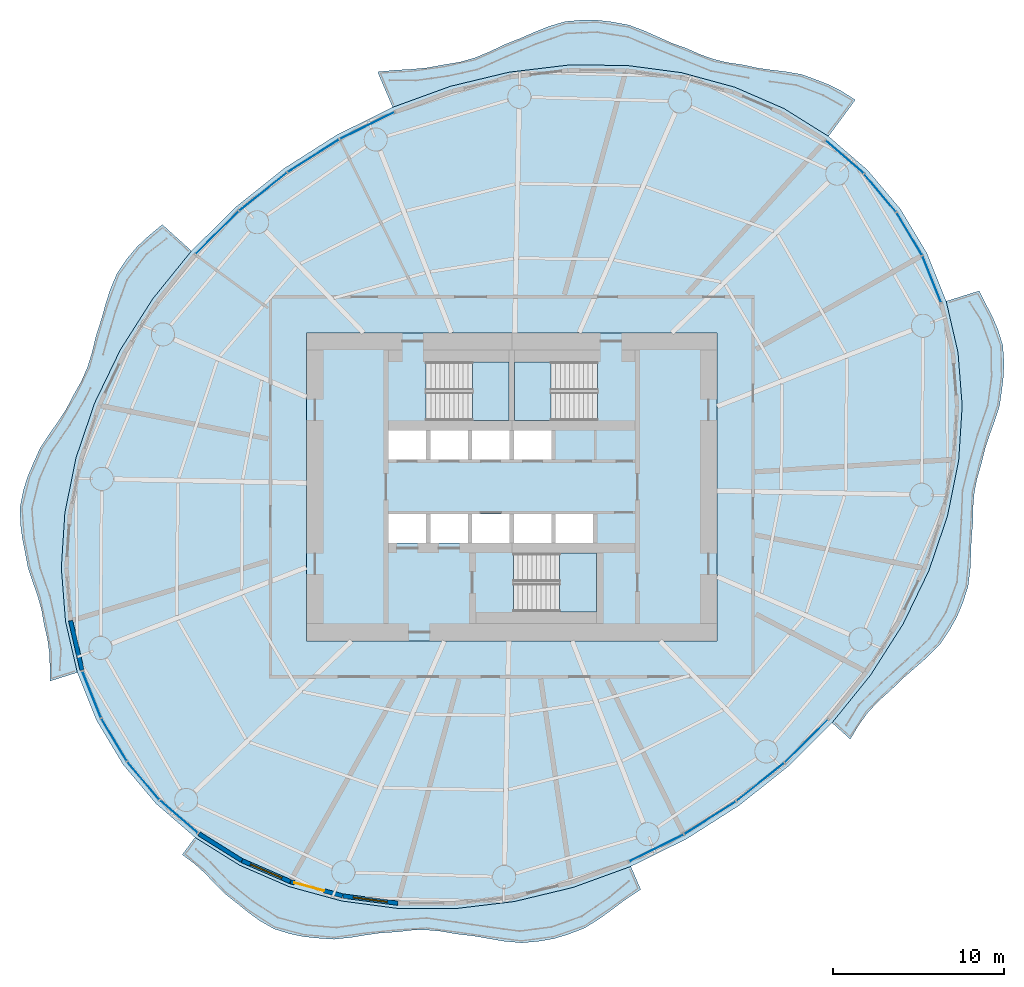
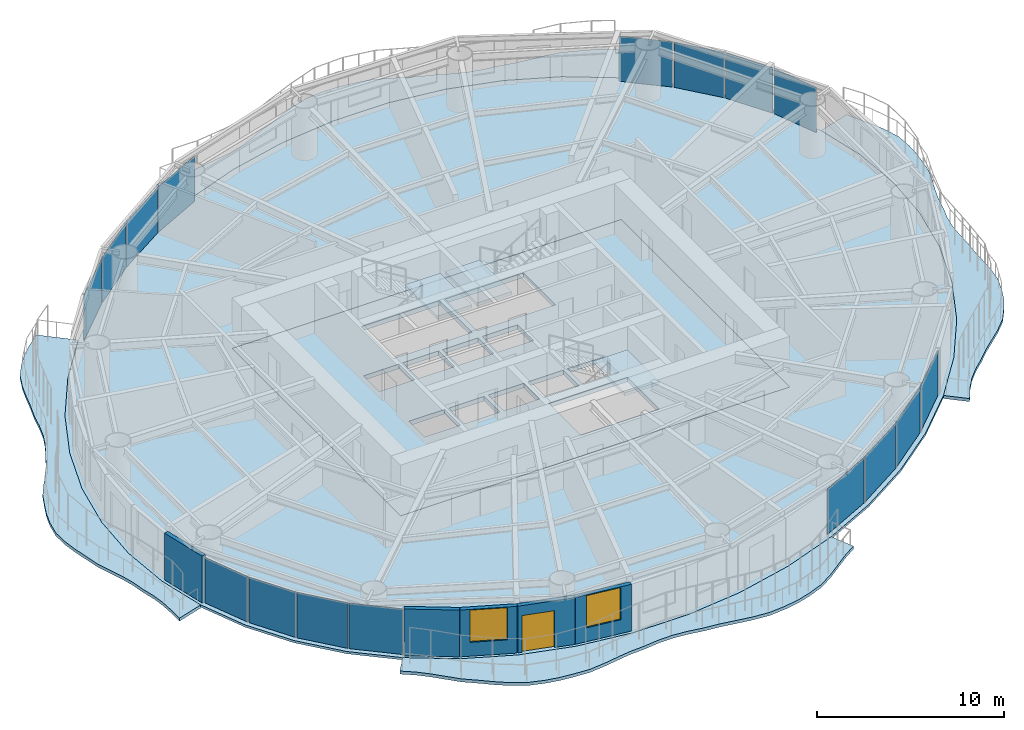
# One storey, part 7 of 15: 16 plates, 9 slabs, 5 walls, 2 windows, 1 door, 3 openings, 19 elements without a shape of their own.
"""IFC4 building model written with IfcOpenShell, lengths in metres."""

from ifc_helpers import new_model, si_unit, direction, frame, frame_2d, origin, origin_2d, place, context, subcontext, project, spatial, polyline, rectangle, outline, extrude, material, layer, layer_set, type_object, element, fill, aggregate, save


model = new_model("IFC4")

# Units and contexts
model_context = context("Model", 3, precision=1e-05, world=origin(), true_north=direction((0.0, 1.0)))
body_context = subcontext(model_context, "Body", "Model", "MODEL_VIEW")
ifc_project = project(units=[si_unit("LENGTHUNIT", "METRE"), si_unit("AREAUNIT", "SQUARE_METRE"), si_unit("VOLUMEUNIT", "CUBIC_METRE"), si_unit("PLANEANGLEUNIT", "RADIAN"), si_unit("MASSUNIT", "GRAM", prefix="KILO")], contexts=[model_context])

# Site, building, storey
site_placement = place(None, origin())
site = spatial("IfcSite", under=ifc_project, at=site_placement, CompositionType="ELEMENT")
building_placement = place(site_placement, origin())
building = spatial("IfcBuilding", under=site, at=building_placement, Name="Vermilion Reach Broadcast Tower", CompositionType="ELEMENT")
storey_placement = place(building_placement, frame((0.0, 0.0, 175.800048828125)))
storey = spatial("IfcBuildingStorey", under=building, at=storey_placement, Name="L42", CompositionType="ELEMENT", Elevation=175.800048828125)

# Slabs
ifc_material_1 = material(Name="Concrete C40/50", Category="concrete")
ifc_layer_1 = layer(ifc_material_1, 0.199951171875)
ifc_layer_set_1 = layer_set([ifc_layer_1], Name="Balcony slab 200")
slab_type_1 = type_object("IfcSlabType", Name="Balcony slab 200", PredefinedType="FLOOR", material=ifc_layer_set_1)
placement_1 = place(storey_placement, frame((0.0, 0.0, -0.199951171875)))
element("IfcSlab", 1, at=placement_1, inside=storey, type_object=slab_type_1, Name="Balcony slab L42 group 1", PredefinedType="FLOOR", context=body_context, shape_type="SweptSolid", body=[
    extrude(outline(polyline([(12.51025390625, 20.488525390625), (9.908203125, 22.113037109375), (7.0341796875, 23.359130859375), (3.93701171875, 24.205810546875), (0.669677734375, 24.637939453125), (-2.711669921875, 24.648681640625), (-6.149169921875, 24.23779296875), (-9.584228515625, 23.412109375), (-12.9580078125, 22.185791015625), (-13.84228515625, 24.2568359375), (-12.79248046875, 24.357177734375), (-11.85693359375, 24.410400390625), (-10.93359375, 24.497314453125), (-9.96484375, 24.67626953125), (-9.01806640625, 24.835205078125), (-8.16748046875, 25.076171875), (-7.33984375, 25.411865234375), (-6.4375, 25.845458984375), (-5.513427734375, 26.209716796875), (-4.68505859375, 26.572509765625), (-3.853515625, 26.90771484375), (-2.859619140625, 27.20166015625), (-1.85791015625, 27.28662109375), (-1.0126953125, 27.279052734375), (-0.16748046875, 27.17919921875), (0.8291015625, 26.999755859375), (1.766845703125, 26.648193359375), (2.55078125, 26.293212890625), (3.3359375, 25.94580078125), (4.22314453125, 25.624267578125), (5.05615234375, 25.25634765625), (5.8154296875, 24.989501953125), (6.596923828125, 24.804443359375), (7.495361328125, 24.671875), (8.373291015625, 24.479248046875), (9.17822265625, 24.366943359375), (9.9912109375, 24.273193359375), (10.955078125, 24.10595703125), (11.849365234375, 23.77392578125), (12.572998046875, 23.485107421875), (13.260009765625, 23.13720703125), (14.079345703125, 22.6162109375), (12.51025390625, 20.488525390625)])), origin(), (0.0, 0.0, 1.0), 0.199951171875),
])
element("IfcSlab", 2, at=placement_1, inside=storey, type_object=slab_type_1, Name="Balcony slab L42 group 2", PredefinedType="FLOOR", context=body_context, shape_type="SweptSolid", body=[
    extrude(outline(polyline([(-24.721435546875, 13.788818359375), (-26.977294921875, 10.99658203125), (-28.874267578125, 8.016357421875), (-30.3798828125, 4.898681640625), (-31.46826171875, 1.697265625), (-32.12109375, -1.533203125), (-32.32666015625, -4.7373046875), (-32.08203125, -7.860595703125), (-31.39111328125, -10.84912109375), (-32.984375, -11.349853515625), (-32.9970703125, -10.433349609375), (-33.0322265625, -9.654296875), (-33.134521484375, -8.890869140625), (-33.3330078125, -8.052978515625), (-33.484619140625, -7.184814453125), (-33.698486328125, -6.416015625), (-33.96435546875, -5.651123046875), (-34.26953125, -4.7509765625), (-34.44970703125, -3.796630859375), (-34.61083984375, -2.98193359375), (-34.718505859375, -2.170654296875), (-34.741943359375, -1.185791015625), (-34.545166015625, -0.202880859375), (-34.29736328125, 0.587646484375), (-33.973876953125, 1.363037109375), (-33.56787109375, 2.263671875), (-33.010009765625, 3.1142578125), (-32.50146484375, 3.834228515625), (-32.029052734375, 4.56640625), (-31.593994140625, 5.39599609375), (-31.129638671875, 6.221923828125), (-30.788818359375, 7.0185546875), (-30.53173828125, 7.85546875), (-30.30029296875, 8.810791015625), (-29.991943359375, 9.774658203125), (-29.74267578125, 10.662841796875), (-29.46826171875, 11.53515625), (-29.0615234375, 12.49462890625), (-28.47119140625, 13.357177734375), (-27.8896484375, 14.041259765625), (-27.22900390625, 14.6611328125), (-26.424560546875, 15.32666015625), (-24.721435546875, 13.788818359375)])), origin(), (0.0, 0.0, 1.0), 0.199951171875),
])
element("IfcSlab", 3, at=placement_1, inside=storey, type_object=slab_type_1, Name="Balcony slab L42 group 3", PredefinedType="FLOOR", context=body_context, shape_type="SweptSolid", body=[
    extrude(outline(polyline([(-24.51025390625, -20.488525390625), (-21.908203125, -22.113037109375), (-19.0341796875, -23.359130859375), (-15.93701171875, -24.205810546875), (-12.669677734375, -24.637939453125), (-9.288330078125, -24.648681640625), (-5.850830078125, -24.23779296875), (-2.415771484375, -23.412109375), (0.9580078125, -22.185791015625), (1.534912109375, -23.537109375), (0.6943359375, -24.087158203125), (-0.057373046875, -24.645751953125), (-0.81005859375, -25.202392578125), (-1.707275390625, -25.76611328125), (-2.666748046875, -26.146484375), (-3.513916015625, -26.401611328125), (-4.385009765625, -26.556884765625), (-5.41748046875, -26.6533203125), (-6.44482421875, -26.55859375), (-7.334716796875, -26.4072265625), (-8.224853515625, -26.251953125), (-9.201904296875, -26.139892578125), (-10.137939453125, -25.977294921875), (-10.98291015625, -25.898193359375), (-11.828369140625, -25.91259765625), (-12.7626953125, -26.01806640625), (-13.691162109375, -26.076171875), (-14.5380859375, -26.195556640625), (-15.387451171875, -26.335205078125), (-16.388671875, -26.443359375), (-17.3623046875, -26.376708984375), (-18.170654296875, -26.289794921875), (-18.958251953125, -26.126708984375), (-19.9033203125, -25.83251953125), (-20.74853515625, -25.344482421875), (-21.397216796875, -24.871826171875), (-22.028564453125, -24.359130859375), (-22.780517578125, -23.77392578125), (-23.430908203125, -23.103759765625), (-23.98046875, -22.5361328125), (-24.559326171875, -22.014892578125), (-25.25732421875, -21.50146484375), (-24.51025390625, -20.488525390625)])), origin(), (0.0, 0.0, 1.0), 0.199951171875),
])
element("IfcSlab", 4, at=placement_1, inside=storey, type_object=slab_type_1, Name="Balcony slab L42 group 4", PredefinedType="FLOOR", context=body_context, shape_type="SweptSolid", body=[
    extrude(outline(polyline([(12.721435546875, -13.788818359375), (14.977294921875, -10.99658203125), (16.874267578125, -8.016357421875), (18.3798828125, -4.898681640625), (19.46826171875, -1.697265625), (20.12109375, 1.533203125), (20.32666015625, 4.7373046875), (20.08203125, 7.860595703125), (19.39111328125, 10.84912109375), (21.322265625, 11.4560546875), (21.74951171875, 10.607421875), (22.109619140625, 9.903564453125), (22.41748046875, 9.1875), (22.7021484375, 8.263671875), (22.770263671875, 7.28564453125), (22.743896484375, 6.497802734375), (22.6484375, 5.704833984375), (22.5146484375, 4.752685546875), (22.213134765625, 3.811767578125), (21.92236328125, 3.026123046875), (21.661865234375, 2.238525390625), (21.450927734375, 1.35693359375), (21.190673828125, 0.4765625), (21.03515625, -0.332763671875), (20.96533203125, -1.1591796875), (20.949951171875, -2.096923828125), (20.8642578125, -3.064697265625), (20.834228515625, -3.947509765625), (20.795654296875, -4.8271484375), (20.66845703125, -5.836181640625), (20.349609375, -6.81103515625), (20.01318359375, -7.60986328125), (19.588134765625, -8.36572265625), (19.0185546875, -9.2109375), (18.28125, -9.958740234375), (17.586181640625, -10.563232421875), (16.888916015625, -11.166259765625), (16.17724609375, -11.859130859375), (15.436279296875, -12.52099609375), (14.822265625, -13.1787109375), (14.29052734375, -13.90283203125), (13.786865234375, -14.750732421875), (12.721435546875, -13.788818359375)])), origin(), (0.0, 0.0, 1.0), 0.199951171875),
])
ifc_material_2 = material(Name="Concrete C40", Category="concrete")
ifc_layer_2 = layer(ifc_material_2, 0.300048828125)
ifc_layer_set_2 = layer_set([ifc_layer_2], Name="Core floor slab 300 mm Concrete C40")
slab_type_2 = type_object("IfcSlabType", Name="Core floor slab 300 mm Concrete C40", PredefinedType="FLOOR", material=ifc_layer_set_2)
slab_5_placement = place(storey_placement, frame((0.0, 0.0, -0.300048828125)))
element("IfcSlab", 5, at=slab_5_placement, inside=storey, type_object=slab_type_2, Name="L42 core floor", PredefinedType="FLOOR", context=body_context, shape_type="SweptSolid", body=[
    extrude(outline(polyline([(-18.0, -9.0), (6.0, -9.0), (6.0, 9.0), (-18.0, 9.0), (-18.0, -9.0)]), holes=[polyline([(-13.199951171875, 1.60009765625), (-11.00830078125, 1.60009765625), (-11.00830078125, 3.280029296875), (-13.199951171875, 3.280029296875), (-13.199951171875, 1.60009765625)]), polyline([(-10.75830078125, 1.60009765625), (-8.566650390625, 1.60009765625), (-8.566650390625, 3.280029296875), (-10.75830078125, 3.280029296875), (-10.75830078125, 1.60009765625)]), polyline([(-8.316650390625, 1.60009765625), (-6.125, 1.60009765625), (-6.125, 3.280029296875), (-8.316650390625, 3.280029296875), (-8.316650390625, 1.60009765625)]), polyline([(-5.875, 1.60009765625), (-3.683349609375, 1.60009765625), (-3.683349609375, 3.280029296875), (-5.875, 3.280029296875), (-5.875, 1.60009765625)]), polyline([(-13.199951171875, -3.280029296875), (-11.00830078125, -3.280029296875), (-11.00830078125, -1.60009765625), (-13.199951171875, -1.60009765625), (-13.199951171875, -3.280029296875)]), polyline([(-10.75830078125, -3.280029296875), (-8.566650390625, -3.280029296875), (-8.566650390625, -1.60009765625), (-10.75830078125, -1.60009765625), (-10.75830078125, -3.280029296875)]), polyline([(-8.316650390625, -3.280029296875), (-6.125, -3.280029296875), (-6.125, -1.60009765625), (-8.316650390625, -1.60009765625), (-8.316650390625, -3.280029296875)]), polyline([(-5.875, -3.280029296875), (-3.683349609375, -3.280029296875), (-3.683349609375, -1.60009765625), (-5.875, -1.60009765625), (-5.875, -3.280029296875)]), polyline([(-3.433349609375, -3.280029296875), (-1.24169921875, -3.280029296875), (-1.24169921875, -1.60009765625), (-3.433349609375, -1.60009765625), (-3.433349609375, -3.280029296875)]), polyline([(-10.999267578125, 3.8798828125), (-6.14990234375, 3.8798828125), (-6.14990234375, 7.300048828125), (-10.999267578125, 7.300048828125), (-10.999267578125, 3.8798828125)]), polyline([(-1.000732421875, 7.300048828125), (-5.85009765625, 7.300048828125), (-5.85009765625, 3.8798828125), (-1.000732421875, 3.8798828125), (-1.000732421875, 7.300048828125)]), polyline([(-5.8994140625, -7.300048828125), (-1.050048828125, -7.300048828125), (-1.050048828125, -3.8798828125), (-5.8994140625, -3.8798828125), (-5.8994140625, -7.300048828125)])]), origin(), (0.0, 0.0, 1.0), 0.300048828125),
])

# Stair, slab
ifc_material_3 = material(Name="Concrete C40", Category="concrete")
stair_type = type_object("IfcStairType", Name="Exit stair RC 22 risers 164 mm", PredefinedType="HALF_TURN_STAIR", material=ifc_material_3)
placement_2 = place(storey_placement, origin())
stair_1 = element("IfcStair", 6, at=placement_2, inside=storey, type_object=stair_type, Name="L42 Exit stair ST1", PredefinedType="HALF_TURN_STAIR")
ifc_material_4 = material(Name="Concrete C40", Category="concrete")
ifc_layer_3 = layer(ifc_material_4, 0.199951171875)
ifc_layer_set_3 = layer_set([ifc_layer_3], Name="Exit stair landing Concrete C40")
slab_type_3 = type_object("IfcSlabType", Name="Exit stair landing Concrete C40", PredefinedType="LANDING", material=ifc_layer_set_3)
placement_3 = place(storey_placement, frame((0.0, 0.0, 1.599853515625)))
slab_6 = element("IfcSlab", 7, at=placement_3, type_object=slab_type_3, Name="ST1 landing 1", PredefinedType="LANDING", context=body_context, shape_type="SweptSolid", body=[
    extrude(outline(polyline([(-8.300048828125, 3.8798828125), (-6.14990234375, 3.8798828125), (-6.14990234375, 7.300048828125), (-8.300048828125, 7.300048828125), (-8.300048828125, 3.8798828125)])), origin(), (0.0, 0.0, 1.0), 0.2001953125),
])
aggregate(stair_1, [slab_6])

stair_2 = element("IfcStair", 8, at=placement_2, inside=storey, type_object=stair_type, Name="L42 Exit stair ST2", PredefinedType="HALF_TURN_STAIR")
slab_7 = element("IfcSlab", 9, at=placement_3, type_object=slab_type_3, Name="ST2 landing 1", PredefinedType="LANDING", context=body_context, shape_type="SweptSolid", body=[
    extrude(outline(polyline([(-3.699951171875, 7.300048828125), (-5.85009765625, 7.300048828125), (-5.85009765625, 3.8798828125), (-3.699951171875, 3.8798828125), (-3.699951171875, 7.300048828125)])), origin(), (0.0, 0.0, 1.0), 0.2001953125),
])
aggregate(stair_2, [slab_7])

stair_3 = element("IfcStair", 10, at=placement_2, inside=storey, type_object=stair_type, Name="L42 Exit stair ST3", PredefinedType="HALF_TURN_STAIR")
slab_8 = element("IfcSlab", 11, at=placement_3, type_object=slab_type_3, Name="ST3 landing 1", PredefinedType="LANDING", context=body_context, shape_type="SweptSolid", body=[
    extrude(outline(polyline([(-3.199951171875, -7.300048828125), (-1.050048828125, -7.300048828125), (-1.050048828125, -3.8798828125), (-3.199951171875, -3.8798828125), (-3.199951171875, -7.300048828125)])), origin(), (0.0, 0.0, 1.0), 0.2001953125),
])
aggregate(stair_3, [slab_8])

# Slab
ifc_material_5 = material(Name="Concrete C40", Category="concrete")
ifc_layer_4 = layer(ifc_material_5, 0.14990234375)
ifc_layer_set_4 = layer_set([ifc_layer_4], Name="Floor slab Concrete C40 composite 150")
slab_type_4 = type_object("IfcSlabType", Name="Floor slab Concrete C40 composite 150", PredefinedType="FLOOR", material=ifc_layer_set_4)
slab_9_placement = place(storey_placement, frame((0.0, 0.0, -0.150146484375)))
element("IfcSlab", 12, at=slab_9_placement, inside=storey, type_object=slab_type_4, Name="Floor slab L42", PredefinedType="FLOOR", context=body_context, shape_type="SweptSolid", body=[
    extrude(outline(polyline([(16.72509765625, 16.2216796875), (14.795654296875, 18.513427734375), (12.51025390625, 20.488525390625), (9.908203125, 22.113037109375), (7.0341796875, 23.359130859375), (3.93701171875, 24.205810546875), (0.669677734375, 24.637939453125), (-2.711669921875, 24.648681640625), (-6.149169921875, 24.23779296875), (-9.584228515625, 23.412109375), (-12.9580078125, 22.185791015625), (-16.212646484375, 20.579833984375), (-19.292724609375, 18.621826171875), (-22.145263671875, 16.34521484375), (-24.721435546875, 13.788818359375), (-26.977294921875, 10.99658203125), (-28.874267578125, 8.016357421875), (-30.3798828125, 4.898681640625), (-31.46826171875, 1.697265625), (-32.12109375, -1.533203125), (-32.32666015625, -4.7373046875), (-32.08203125, -7.860595703125), (-31.39111328125, -10.84912109375), (-30.265625, -13.652099609375), (-28.72509765625, -16.2216796875), (-26.795654296875, -18.513427734375), (-24.51025390625, -20.488525390625), (-21.908203125, -22.113037109375), (-19.0341796875, -23.359130859375), (-15.93701171875, -24.205810546875), (-12.669677734375, -24.637939453125), (-9.288330078125, -24.648681640625), (-5.850830078125, -24.23779296875), (-2.415771484375, -23.412109375), (0.9580078125, -22.185791015625), (4.212646484375, -20.579833984375), (7.292724609375, -18.621826171875), (10.145263671875, -16.34521484375), (12.721435546875, -13.788818359375), (14.977294921875, -10.99658203125), (16.874267578125, -8.016357421875), (18.3798828125, -4.898681640625), (19.46826171875, -1.697265625), (20.12109375, 1.533203125), (20.32666015625, 4.7373046875), (20.08203125, 7.860595703125), (19.39111328125, 10.84912109375), (18.265625, 13.652099609375), (16.72509765625, 16.2216796875)]), holes=[polyline([(-18.0, -9.0), (6.0, -9.0), (6.0, 9.0), (-18.0, 9.0), (-18.0, -9.0)])]), origin(), (0.0, 0.0, 1.0), 0.150146484375),
])

# Curtain wall, plate
ifc_material_6 = material(Name="Low-e laminated clear glass in aluminium frame", Category="aluminium")
curtain_wall_type = type_object("IfcCurtainWallType", Name="Slot curtain wall", PredefinedType="NOTDEFINED", material=ifc_material_6)
curtain_wall_1 = element("IfcCurtainWall", 13, at=placement_2, inside=storey, type_object=curtain_wall_type, Name="Slot curtain wall L42 46", PredefinedType="NOTDEFINED")
ifc_material_7 = material(Name="Low-e laminated clear glass", Category="glass")
ifc_layer_5 = layer(ifc_material_7, 0.028076171875)
ifc_layer_set_5 = layer_set([ifc_layer_5], Name="Slot glass panel")
plate_type = type_object("IfcPlateType", Name="Slot glass panel", PredefinedType="CURTAIN_PANEL", material=ifc_layer_set_5)
plate_1_placement = place(storey_placement, frame((18.55078125, 12.13916015625, 0.0), z_axis=(0.0, 0.0, 1.0), x_axis=(-0.372590375957, 0.927995911491, 0.0)))
plate_1 = element("IfcPlate", 14, at=plate_1_placement, type_object=plate_type, Name="Slot glass panel L42 46", PredefinedType="CURTAIN_PANEL", context=body_context, shape_type="SweptSolid", body=[
    extrude(rectangle(XDim=2.8935546875, YDim=0.028076171875, at=origin_2d()), origin(), (0.0, 0.0, 1.0), 2.949951171875),
])
aggregate(curtain_wall_1, [plate_1])

curtain_wall_2 = element("IfcCurtainWall", 15, at=placement_2, inside=storey, type_object=curtain_wall_type, Name="Slot curtain wall L42 47", PredefinedType="NOTDEFINED")
plate_2_placement = place(storey_placement, frame((17.23876953125, 14.782958984375, 0.0), z_axis=(0.0, 0.0, 1.0), x_axis=(-0.514241437104, 0.857645465425, 0.0)))
plate_2 = element("IfcPlate", 16, at=plate_2_placement, type_object=plate_type, Name="Slot glass panel L42 47", PredefinedType="CURTAIN_PANEL", context=body_context, shape_type="SweptSolid", body=[
    extrude(rectangle(XDim=2.8681640625, YDim=0.028076171875, at=origin_2d()), origin(), (0.0, 0.0, 1.0), 2.949951171875),
])
aggregate(curtain_wall_2, [plate_2])

curtain_wall_3 = element("IfcCurtainWall", 17, at=placement_2, inside=storey, type_object=curtain_wall_type, Name="Slot curtain wall L42 00", PredefinedType="NOTDEFINED")
plate_3_placement = place(storey_placement, frame((15.531494140625, 17.175048828125, 0.0), z_axis=(0.0, 0.0, 1.0), x_axis=(-0.644033199538, 0.764997541103, 0.0)))
plate_3 = element("IfcPlate", 18, at=plate_3_placement, type_object=plate_type, Name="Slot glass panel L42 00", PredefinedType="CURTAIN_PANEL", context=body_context, shape_type="SweptSolid", body=[
    extrude(rectangle(XDim=2.8681640625, YDim=0.028076171875, at=origin_2d()), origin(), (0.0, 0.0, 1.0), 2.949951171875),
])
aggregate(curtain_wall_3, [plate_3])

curtain_wall_4 = element("IfcCurtainWall", 19, at=placement_2, inside=storey, type_object=curtain_wall_type, Name="Slot curtain wall L42 01", PredefinedType="NOTDEFINED")
plate_4_placement = place(storey_placement, frame((13.457275390625, 19.27490234375, 0.0), z_axis=(0.0, 0.0, 1.0), x_axis=(-0.756590518729, 0.653888971438, 0.0)))
plate_4 = element("IfcPlate", 20, at=plate_4_placement, type_object=plate_type, Name="Slot glass panel L42 01", PredefinedType="CURTAIN_PANEL", context=body_context, shape_type="SweptSolid", body=[
    extrude(rectangle(XDim=2.8935546875, YDim=0.028076171875, at=origin_2d()), origin(), (0.0, 0.0, 1.0), 2.949951171875),
])
aggregate(curtain_wall_4, [plate_4])

curtain_wall_5 = element("IfcCurtainWall", 21, at=placement_2, inside=storey, type_object=curtain_wall_type, Name="Slot curtain wall L42 10", PredefinedType="NOTDEFINED")
plate_5_placement = place(storey_placement, frame((-14.452880859375, 21.1142578125, 0.0), z_axis=(0.0, 0.0, 1.0), x_axis=(-0.896776652466, -0.442483486237, 0.0)))
plate_5 = element("IfcPlate", 22, at=plate_5_placement, type_object=plate_type, Name="Slot glass panel L42 10", PredefinedType="CURTAIN_PANEL", context=body_context, shape_type="SweptSolid", body=[
    extrude(rectangle(XDim=3.5166015625, YDim=0.028076171875, at=origin_2d()), origin(), (0.0, 0.0, 1.0), 2.949951171875),
])
aggregate(curtain_wall_5, [plate_5])

curtain_wall_6 = element("IfcCurtainWall", 23, at=placement_2, inside=storey, type_object=curtain_wall_type, Name="Slot curtain wall L42 11", PredefinedType="NOTDEFINED")
plate_6_placement = place(storey_placement, frame((-17.592041015625, 19.34814453125, 0.0), z_axis=(0.0, 0.0, 1.0), x_axis=(-0.843900341829, -0.536499965574, 0.0)))
plate_6 = element("IfcPlate", 24, at=plate_6_placement, type_object=plate_type, Name="Slot glass panel L42 11", PredefinedType="CURTAIN_PANEL", context=body_context, shape_type="SweptSolid", body=[
    extrude(rectangle(XDim=3.537353515625, YDim=0.028076171875, at=origin_2d()), origin(), (0.0, 0.0, 1.0), 2.949951171875),
])
aggregate(curtain_wall_6, [plate_6])

curtain_wall_7 = element("IfcCurtainWall", 25, at=placement_2, inside=storey, type_object=curtain_wall_type, Name="Slot curtain wall L42 12", PredefinedType="NOTDEFINED")
plate_7_placement = place(storey_placement, frame((-20.531982421875, 17.24951171875, 0.0), z_axis=(0.0, 0.0, 1.0), x_axis=(-0.781582380017, -0.623802038508, 0.0)))
plate_7 = element("IfcPlate", 26, at=plate_7_placement, type_object=plate_type, Name="Slot glass panel L42 12", PredefinedType="CURTAIN_PANEL", context=body_context, shape_type="SweptSolid", body=[
    extrude(rectangle(XDim=3.537353515625, YDim=0.028076171875, at=origin_2d()), origin(), (0.0, 0.0, 1.0), 2.949951171875),
])
aggregate(curtain_wall_7, [plate_7])

curtain_wall_8 = element("IfcCurtainWall", 27, at=placement_2, inside=storey, type_object=curtain_wall_type, Name="Slot curtain wall L42 13", PredefinedType="NOTDEFINED")
plate_8_placement = place(storey_placement, frame((-23.22216796875, 14.8544921875, 0.0), z_axis=(0.0, 0.0, 1.0), x_axis=(-0.709846738507, -0.704356165467, 0.0)))
plate_8 = element("IfcPlate", 28, at=plate_8_placement, type_object=plate_type, Name="Slot glass panel L42 13", PredefinedType="CURTAIN_PANEL", context=body_context, shape_type="SweptSolid", body=[
    extrude(rectangle(XDim=3.5166015625, YDim=0.028076171875, at=origin_2d()), origin(), (0.0, 0.0, 1.0), 2.949951171875),
])
aggregate(curtain_wall_8, [plate_8])

curtain_wall_9 = element("IfcCurtainWall", 29, at=placement_2, inside=storey, type_object=curtain_wall_type, Name="Slot curtain wall L42 22", PredefinedType="NOTDEFINED")
plate_9_placement = place(storey_placement, frame((-30.55078125, -12.13916015625, 0.0), z_axis=(0.0, 0.0, 1.0), x_axis=(0.372590375957, -0.927995911491, 0.0)))
plate_9 = element("IfcPlate", 30, at=plate_9_placement, type_object=plate_type, Name="Slot glass panel L42 22", PredefinedType="CURTAIN_PANEL", context=body_context, shape_type="SweptSolid", body=[
    extrude(rectangle(XDim=2.8935546875, YDim=0.028076171875, at=origin_2d()), origin(), (0.0, 0.0, 1.0), 2.949951171875),
])
aggregate(curtain_wall_9, [plate_9])

curtain_wall_10 = element("IfcCurtainWall", 31, at=placement_2, inside=storey, type_object=curtain_wall_type, Name="Slot curtain wall L42 23", PredefinedType="NOTDEFINED")
plate_10_placement = place(storey_placement, frame((-29.23876953125, -14.782958984375, 0.0), z_axis=(0.0, 0.0, 1.0), x_axis=(0.514241437104, -0.857645465425, 0.0)))
plate_10 = element("IfcPlate", 32, at=plate_10_placement, type_object=plate_type, Name="Slot glass panel L42 23", PredefinedType="CURTAIN_PANEL", context=body_context, shape_type="SweptSolid", body=[
    extrude(rectangle(XDim=2.8681640625, YDim=0.028076171875, at=origin_2d()), origin(), (0.0, 0.0, 1.0), 2.949951171875),
])
aggregate(curtain_wall_10, [plate_10])

curtain_wall_11 = element("IfcCurtainWall", 33, at=placement_2, inside=storey, type_object=curtain_wall_type, Name="Slot curtain wall L42 24", PredefinedType="NOTDEFINED")
plate_11_placement = place(storey_placement, frame((-27.531494140625, -17.175048828125, 0.0), z_axis=(0.0, 0.0, 1.0), x_axis=(0.644033199538, -0.764997541103, 0.0)))
plate_11 = element("IfcPlate", 34, at=plate_11_placement, type_object=plate_type, Name="Slot glass panel L42 24", PredefinedType="CURTAIN_PANEL", context=body_context, shape_type="SweptSolid", body=[
    extrude(rectangle(XDim=2.8681640625, YDim=0.028076171875, at=origin_2d()), origin(), (0.0, 0.0, 1.0), 2.949951171875),
])
aggregate(curtain_wall_11, [plate_11])

curtain_wall_12 = element("IfcCurtainWall", 35, at=placement_2, inside=storey, type_object=curtain_wall_type, Name="Slot curtain wall L42 25", PredefinedType="NOTDEFINED")
plate_12_placement = place(storey_placement, frame((-25.457275390625, -19.27490234375, 0.0), z_axis=(0.0, 0.0, 1.0), x_axis=(0.756590518729, -0.653888971438, 0.0)))
plate_12 = element("IfcPlate", 36, at=plate_12_placement, type_object=plate_type, Name="Slot glass panel L42 25", PredefinedType="CURTAIN_PANEL", context=body_context, shape_type="SweptSolid", body=[
    extrude(rectangle(XDim=2.8935546875, YDim=0.028076171875, at=origin_2d()), origin(), (0.0, 0.0, 1.0), 2.949951171875),
])
aggregate(curtain_wall_12, [plate_12])

curtain_wall_13 = element("IfcCurtainWall", 37, at=placement_2, inside=storey, type_object=curtain_wall_type, Name="Slot curtain wall L42 34", PredefinedType="NOTDEFINED")
plate_13_placement = place(storey_placement, frame((2.452880859375, -21.1142578125, 0.0), z_axis=(0.0, 0.0, 1.0), x_axis=(0.896776652466, 0.442483486237, 0.0)))
plate_13 = element("IfcPlate", 38, at=plate_13_placement, type_object=plate_type, Name="Slot glass panel L42 34", PredefinedType="CURTAIN_PANEL", context=body_context, shape_type="SweptSolid", body=[
    extrude(rectangle(XDim=3.5166015625, YDim=0.028076171875, at=origin_2d()), origin(), (0.0, 0.0, 1.0), 2.949951171875),
])
aggregate(curtain_wall_13, [plate_13])

curtain_wall_14 = element("IfcCurtainWall", 39, at=placement_2, inside=storey, type_object=curtain_wall_type, Name="Slot curtain wall L42 35", PredefinedType="NOTDEFINED")
plate_14_placement = place(storey_placement, frame((5.592041015625, -19.34814453125, 0.0), z_axis=(0.0, 0.0, 1.0), x_axis=(0.843900341829, 0.536499965574, 0.0)))
plate_14 = element("IfcPlate", 40, at=plate_14_placement, type_object=plate_type, Name="Slot glass panel L42 35", PredefinedType="CURTAIN_PANEL", context=body_context, shape_type="SweptSolid", body=[
    extrude(rectangle(XDim=3.537353515625, YDim=0.028076171875, at=origin_2d()), origin(), (0.0, 0.0, 1.0), 2.949951171875),
])
aggregate(curtain_wall_14, [plate_14])

curtain_wall_15 = element("IfcCurtainWall", 41, at=placement_2, inside=storey, type_object=curtain_wall_type, Name="Slot curtain wall L42 36", PredefinedType="NOTDEFINED")
plate_15_placement = place(storey_placement, frame((8.531982421875, -17.24951171875, 0.0), z_axis=(0.0, 0.0, 1.0), x_axis=(0.781582380017, 0.623802038508, 0.0)))
plate_15 = element("IfcPlate", 42, at=plate_15_placement, type_object=plate_type, Name="Slot glass panel L42 36", PredefinedType="CURTAIN_PANEL", context=body_context, shape_type="SweptSolid", body=[
    extrude(rectangle(XDim=3.537353515625, YDim=0.028076171875, at=origin_2d()), origin(), (0.0, 0.0, 1.0), 2.949951171875),
])
aggregate(curtain_wall_15, [plate_15])

curtain_wall_16 = element("IfcCurtainWall", 43, at=placement_2, inside=storey, type_object=curtain_wall_type, Name="Slot curtain wall L42 37", PredefinedType="NOTDEFINED")
plate_16_placement = place(storey_placement, frame((11.22216796875, -14.8544921875, 0.0), z_axis=(0.0, 0.0, 1.0), x_axis=(0.709846738507, 0.704356165467, 0.0)))
plate_16 = element("IfcPlate", 44, at=plate_16_placement, type_object=plate_type, Name="Slot glass panel L42 37", PredefinedType="CURTAIN_PANEL", context=body_context, shape_type="SweptSolid", body=[
    extrude(rectangle(XDim=3.5166015625, YDim=0.028076171875, at=origin_2d()), origin(), (0.0, 0.0, 1.0), 2.949951171875),
])
aggregate(curtain_wall_16, [plate_16])

# Walls
ifc_material_8 = material(Name="Terracotta rainscreen cladding", Category="masonry")
ifc_layer_6 = layer(ifc_material_8, 0.25)
ifc_layer_set_6 = layer_set([ifc_layer_6], Name="Terracotta rainscreen wall 250")
wall_type = type_object("IfcWallType", Name="Terracotta rainscreen wall 250", PredefinedType="SOLIDWALL", material=ifc_layer_set_6)
for number, where, z_axis, x_axis, name in (
    (45, (-31.782470703125, -7.828125, 0.0), (0.0, 0.0, 1.0), (0.22524585032, -0.974301958796, 0.0), "External wall L42 21"),
    (46, (-24.28564453125, -20.276123046875, 0.0), (0.0, 0.0, 1.0), (0.848248973031, -0.529597658371, 0.0), "External wall L42 26"),
):
    element("IfcWall", number, at=place(storey_placement, frame(where, z_axis=z_axis, x_axis=x_axis)), inside=storey, type_object=wall_type, Name=name, PredefinedType="SOLIDWALL", context=body_context, shape_type="SweptSolid", body=[
        extrude(rectangle(XDim=2.95361328125, YDim=0.25, at=frame_2d((1.476806640625, 0.0))), origin(), (0.0, 0.0, 1.0), 3.050048828125),
    ])

# Wall, opening, window
wall_1_placement = place(storey_placement, frame((-21.7568359375, -21.8525390625, 0.0), z_axis=(0.0, 0.0, 1.0), x_axis=(0.917458663887, -0.397831120023, 0.0)))
wall_1 = element("IfcWall", 47, at=wall_1_placement, inside=storey, type_object=wall_type, Name="External wall L42 27", PredefinedType="SOLIDWALL", context=body_context, shape_type="SweptSolid", body=[
    extrude(rectangle(XDim=3.06298828125, YDim=0.25, at=frame_2d((1.531494140625, 0.0))), origin(), (0.0, 0.0, 1.0), 3.050048828125),
])
opening_1_placement = place(wall_1_placement, frame((0.531494140625, 0.0, 0.89990234375)))
opening_1 = element("IfcOpeningElement", 48, at=opening_1_placement, cuts=wall_1, Name="Opening W03", PredefinedType="OPENING", context=body_context, shape_type="SweptSolid", body=[
    extrude(rectangle(XDim=2.0, YDim=2.10009765625, at=frame_2d((1.0, 1.050048828125))), frame((0.0, 0.135009765625, 0.0), z_axis=(0.0, -1.0, 0.0), x_axis=(1.0, 0.0, 0.0)), (0.0, 0.0, 1.0), 0.27001953125),
])
ifc_material_9 = material(Name="Low-e laminated clear glass in aluminium frame", Category="aluminium")
window_type = type_object("IfcWindowType", Name="Punched window 2000 x 2100 sill 900", PartitioningType="SINGLE_PANEL", PredefinedType="WINDOW", material=ifc_material_9)
window_1_placement = place(opening_1_placement, origin())
window_1 = element("IfcWindow", 49, at=window_1_placement, inside=storey, type_object=window_type, Name="Window L42 27", OverallHeight=2.10009765625, OverallWidth=2.0, PartitioningType="SINGLE_PANEL", PredefinedType="WINDOW", context=body_context, shape_type="SweptSolid", body=[
    extrude(rectangle(XDim=2.0, YDim=2.10009765625, at=frame_2d((1.0, 1.050048828125))), frame((0.0, 0.030029296875, 0.0), z_axis=(0.0, -1.0, 0.0), x_axis=(1.0, 0.0, 0.0)), (0.0, 0.0, 1.0), 0.06005859375),
])
fill(opening_1, window_1)

# Wall, opening, door
wall_2_placement = place(storey_placement, frame((-18.92236328125, -23.07958984375, 0.0), z_axis=(0.0, 0.0, 1.0), x_axis=(0.964636462647, -0.263583942857, 0.0)))
wall_2 = element("IfcWall", 50, at=wall_2_placement, inside=storey, type_object=wall_type, Name="External wall L42 28", PredefinedType="SOLIDWALL", context=body_context, shape_type="SweptSolid", body=[
    extrude(rectangle(XDim=3.1435546875, YDim=0.25, at=frame_2d((1.57177734375, 0.0))), origin(), (0.0, 0.0, 1.0), 3.050048828125),
])
opening_2_placement = place(wall_2_placement, frame((0.221923828125, 0.0, 0.0)))
opening_2 = element("IfcOpeningElement", 51, at=opening_2_placement, cuts=wall_2, Name="Opening D70", PredefinedType="OPENING", context=body_context, shape_type="SweptSolid", body=[
    extrude(rectangle(XDim=1.800048828125, YDim=2.39990234375, at=frame_2d((0.89990234375, 1.199951171875))), frame((0.0, 0.135009765625, 0.0), z_axis=(0.0, -1.0, 0.0), x_axis=(1.0, 0.0, 0.0)), (0.0, 0.0, 1.0), 0.27001953125),
])
ifc_material_10 = material(Name="Low-e laminated clear glass in aluminium frame", Category="aluminium")
door_type = type_object("IfcDoorType", Name="Balcony sliding door 1800 x 2400", OperationType="DOUBLE_DOOR_SLIDING", PredefinedType="DOOR", material=ifc_material_10)
door_placement = place(opening_2_placement, origin())
door = element("IfcDoor", 52, at=door_placement, inside=storey, type_object=door_type, Name="Balcony door L42 run 07", OperationType="DOUBLE_DOOR_SLIDING", OverallHeight=2.39990234375, OverallWidth=1.800048828125, PredefinedType="DOOR", context=body_context, shape_type="SweptSolid", body=[
    extrude(rectangle(XDim=1.800048828125, YDim=2.39990234375, at=frame_2d((0.89990234375, 1.199951171875))), frame((0.0, 0.02490234375, 0.0), z_axis=(0.0, -1.0, 0.0), x_axis=(1.0, 0.0, 0.0)), (0.0, 0.0, 1.0), 0.050048828125),
])
fill(opening_2, door)

# Wall, opening, window
wall_3_placement = place(storey_placement, frame((-15.865478515625, -23.913330078125, 0.0), z_axis=(0.0, 0.0, 1.0), x_axis=(0.991363289686, -0.131144301676, 0.0)))
wall_3 = element("IfcWall", 53, at=wall_3_placement, inside=storey, type_object=wall_type, Name="External wall L42 29", PredefinedType="SOLIDWALL", context=body_context, shape_type="SweptSolid", body=[
    extrude(rectangle(XDim=3.231689453125, YDim=0.25, at=frame_2d((1.61572265625, 0.0))), origin(), (0.0, 0.0, 1.0), 3.050048828125),
])
opening_3_placement = place(wall_3_placement, frame((0.615966796875, 0.0, 0.89990234375)))
opening_3 = element("IfcOpeningElement", 54, at=opening_3_placement, cuts=wall_3, Name="Opening W03", PredefinedType="OPENING", context=body_context, shape_type="SweptSolid", body=[
    extrude(rectangle(XDim=2.0, YDim=2.10009765625, at=frame_2d((1.0, 1.050048828125))), frame((0.0, 0.135009765625, 0.0), z_axis=(0.0, -1.0, 0.0), x_axis=(1.0, 0.0, 0.0)), (0.0, 0.0, 1.0), 0.27001953125),
])
window_2_placement = place(opening_3_placement, origin())
window_2 = element("IfcWindow", 55, at=window_2_placement, inside=storey, type_object=window_type, Name="Window L42 29", OverallHeight=2.10009765625, OverallWidth=2.0, PartitioningType="SINGLE_PANEL", PredefinedType="WINDOW", context=body_context, shape_type="SweptSolid", body=[
    extrude(rectangle(XDim=2.0, YDim=2.10009765625, at=frame_2d((1.0, 1.050048828125))), frame((0.0, 0.030029296875, 0.0), z_axis=(0.0, -1.0, 0.0), x_axis=(1.0, 0.0, 0.0)), (0.0, 0.0, 1.0), 0.06005859375),
])
fill(opening_3, window_2)

save(model, "model.ifc")
